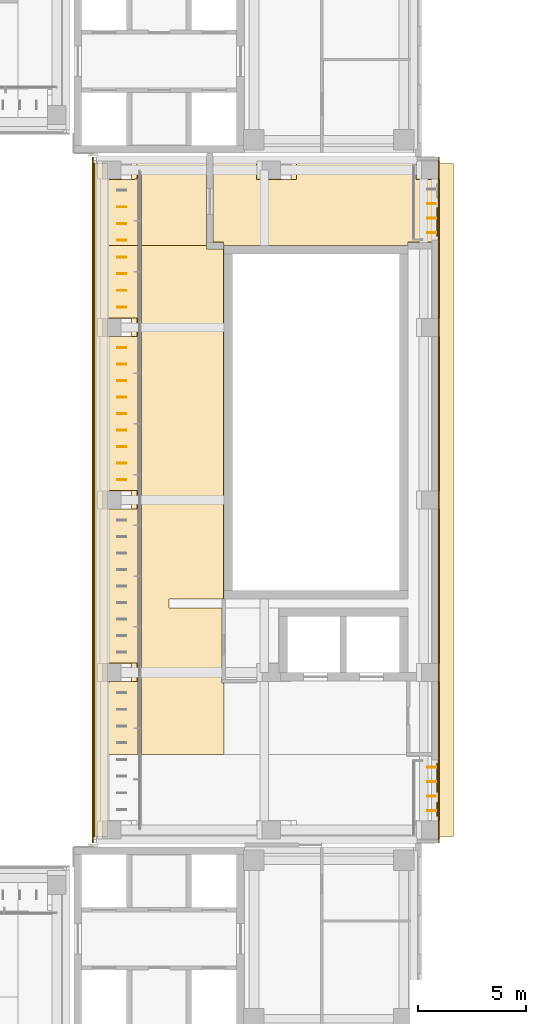
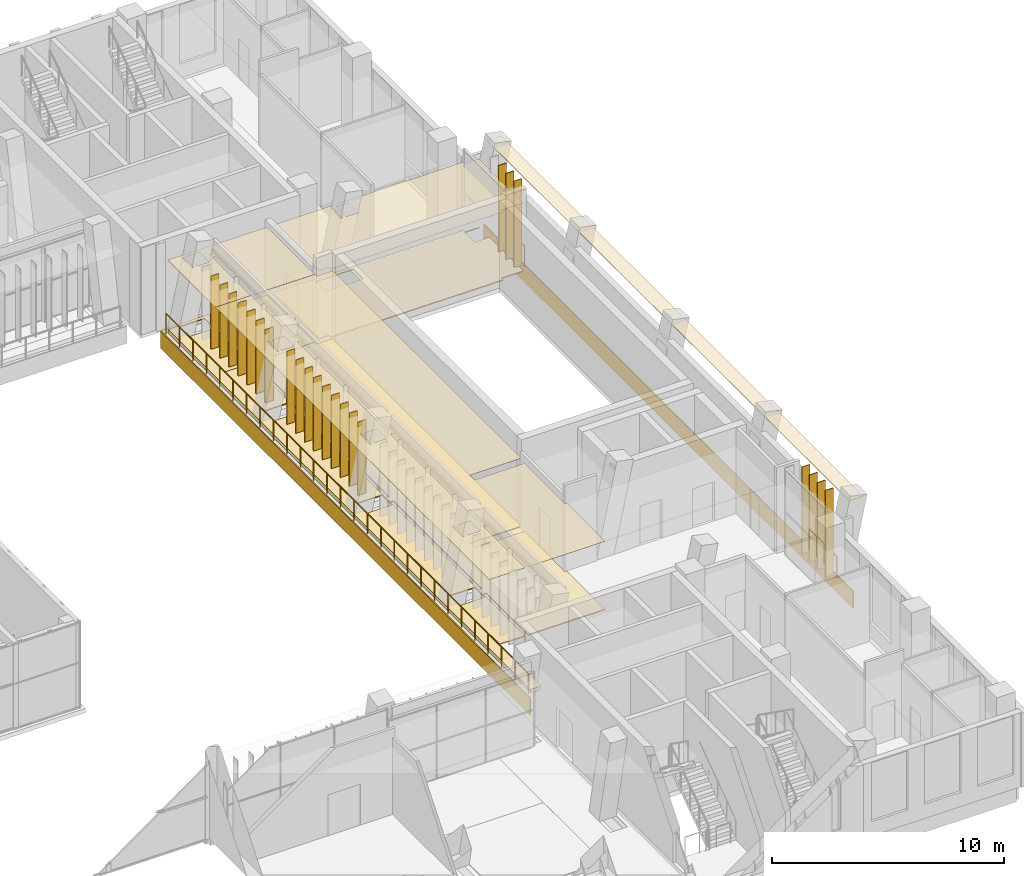
# One storey, part 90 of 92: 23 shading devices, 10 coverings, 4 railings.
"""IFC4 building model written with IfcOpenShell, lengths in metres."""

from ifc_helpers import new_model, si_unit, direction, frame, frame_2d, origin, origin_2d, place, context, subcontext, project, spatial, polyline, rectangle, circle, outline, extrude, material, layer, layer_set, type_object, element, save


model = new_model("IFC4")

# Units and contexts
model_context = context("Model", 3, precision=1e-05, world=origin(), true_north=direction((0.0, 1.0)))
body_context = subcontext(model_context, "Body", "Model", "MODEL_VIEW")
ifc_project = project(units=[si_unit("LENGTHUNIT", "METRE"), si_unit("AREAUNIT", "SQUARE_METRE"), si_unit("VOLUMEUNIT", "CUBIC_METRE"), si_unit("PLANEANGLEUNIT", "RADIAN"), si_unit("MASSUNIT", "GRAM", prefix="KILO")], contexts=[model_context])

# Site, building, storey
site_placement = place(None, origin())
site = spatial("IfcSite", under=ifc_project, at=site_placement, CompositionType="ELEMENT")
building_placement = place(site_placement, origin())
building = spatial("IfcBuilding", under=site, at=building_placement, Name="Lantern Court Media Centre", CompositionType="ELEMENT")
storey_placement = place(building_placement, frame((0.0, 0.0, 4.800048828125)))
storey = spatial("IfcBuildingStorey", under=building, at=storey_placement, Name="L01", CompositionType="ELEMENT", Elevation=4.800048828125)

# Covering
ifc_material_1 = material(Name="Carpet")
ifc_layer_1 = layer(ifc_material_1, 0.050048828125)
ifc_layer_set_1 = layer_set([ifc_layer_1], Name="Carpet")
covering_type_1 = type_object("IfcCoveringType", Name="Carpet floor finish", PredefinedType="FLOORING", material=ifc_layer_set_1)
covering_1_placement = place(storey_placement, origin())
element("IfcCovering", 1, at=covering_1_placement, inside=storey, type_object=covering_type_1, Name="Studio Control Room 02 floor finish", PredefinedType="FLOORING", context=body_context, shape_type="SweptSolid", body=[
    extrude(outline(polyline([(96.699951171875, 94.8701171875), (96.695068359375, 91.955078125), (95.60400390625, 91.954833984375), (95.60009765625, 91.804931640625), (87.050048828125, 91.804931640625), (87.04638671875, 91.954833984375), (86.554931640625, 91.955078125), (86.554931640625, 95.89990234375), (95.9951171875, 95.89990234375), (95.9990234375, 95.755126953125), (96.699951171875, 95.7548828125), (96.699951171875, 95.72998046875), (95.969970703125, 95.72509765625), (95.97119140625, 94.871826171875), (96.699951171875, 94.8701171875)]), holes=[polyline([(90.425048828125, 94.8701171875), (90.427001953125, 95.729736328125), (88.5703125, 95.726806640625), (88.572998046875, 94.870361328125), (90.425048828125, 94.8701171875)])]), origin(), (0.0, 0.0, 1.0), 0.050048828125),
])

# Railings
ifc_material_2 = material(Name="Powder-coated steel", Category="steel")
railing_type_1 = type_object("IfcRailingType", Name="Floor edge guard 1100", PredefinedType="GUARDRAIL", material=ifc_material_2)
railing_1_placement = place(storey_placement, frame((96.93994140625, 93.5419921875, 0.0)))
element("IfcRailing", 2, at=railing_1_placement, inside=storey, type_object=railing_type_1, Name="L01 edge guard 30", PredefinedType="GUARDRAIL", context=body_context, shape_type="SweptSolid", body=[
    extrude(circle(Radius=0.02392578125, at=origin_2d()), frame((0.0, 0.0, 1.076171875), z_axis=(0.0, -1.0, 0.0), x_axis=(1.0, 0.0, 0.0)), (0.0, 0.0, 1.0), 1.299072265625),
    extrude(circle(Radius=0.02099609375, at=origin_2d()), origin(), (0.0, 0.0, 1.0), 1.052001953125),
    extrude(circle(Radius=0.02099609375, at=origin_2d()), frame((0.0, -0.6494140625, 0.0)), (0.0, 0.0, 1.0), 1.052001953125),
    extrude(circle(Radius=0.02099609375, at=origin_2d()), frame((0.0, -1.299072265625, 0.0)), (0.0, 0.0, 1.0), 1.052001953125),
])
railing_2_placement = place(storey_placement, frame((96.93994140625, 67.763916015625, 0.0)))
element("IfcRailing", 3, at=railing_2_placement, inside=storey, type_object=railing_type_1, Name="L01 edge guard 31", PredefinedType="GUARDRAIL", context=body_context, shape_type="SweptSolid", body=[
    extrude(circle(Radius=0.02392578125, at=origin_2d()), frame((0.0, 0.0, 1.076171875), z_axis=(0.0, -1.0, 0.0), x_axis=(1.0, 0.0, 0.0)), (0.0, 0.0, 1.0), 1.298828125),
    extrude(circle(Radius=0.02099609375, at=origin_2d()), origin(), (0.0, 0.0, 1.0), 1.052001953125),
    extrude(circle(Radius=0.02099609375, at=origin_2d()), frame((0.0, -0.6494140625, 0.0)), (0.0, 0.0, 1.0), 1.052001953125),
    extrude(circle(Radius=0.02099609375, at=origin_2d()), frame((0.0, -1.298828125, 0.0)), (0.0, 0.0, 1.0), 1.052001953125),
])
railing_3_placement = place(storey_placement, frame((96.93994140625, 65.965087890625, 0.0)))
element("IfcRailing", 4, at=railing_3_placement, inside=storey, type_object=railing_type_1, Name="L01 edge guard 32", PredefinedType="GUARDRAIL", context=body_context, shape_type="SweptSolid", body=[
    extrude(circle(Radius=0.02392578125, at=origin_2d()), frame((0.0, 0.0, 1.076171875), z_axis=(0.0, -1.0, 0.0), x_axis=(1.0, 0.0, 0.0)), (0.0, 0.0, 1.0), 0.59912109375),
    extrude(circle(Radius=0.02099609375, at=origin_2d()), origin(), (0.0, 0.0, 1.0), 1.052001953125),
    extrude(circle(Radius=0.02099609375, at=origin_2d()), frame((0.0, -0.59912109375, 0.0)), (0.0, 0.0, 1.0), 1.052001953125),
])

# Coverings
ifc_material_3 = material(Name="White glass-fibre reinforced cement cladding", Category="concrete")
ifc_layer_2 = layer(ifc_material_3, 0.050048828125)
ifc_layer_set_2 = layer_set([ifc_layer_2], Name="White glass-fibre reinforced cement cladding")
covering_type_2 = type_object("IfcCoveringType", Name="Floor-edge band 50", PredefinedType="CLADDING", material=ifc_layer_set_2)
for number, where, z_axis, x_axis, name in (
    (5, (97.02490234375, 64.10009765625, -0.900146484375), (0.0, 0.0, 1.0), (0.0, 1.0, 0.0), "Floor-edge band E outer L01"),
    (6, (80.97509765625, 64.10009765625, -0.900146484375), (0.0, 0.0, 1.0), (0.0, 1.0, 0.0), "Floor-edge band E inner L01"),
):
    element("IfcCovering", number, at=place(storey_placement, frame(where, z_axis=z_axis, x_axis=x_axis)), inside=storey, type_object=covering_type_2, Name=name, PredefinedType="CLADDING", context=body_context, shape_type="SweptSolid", body=[
        extrude(rectangle(XDim=31.7998046875, YDim=0.050048828125, at=frame_2d((15.89990234375, 0.0))), origin(), (0.0, 0.0, 1.0), 0.900146484375),
    ])

# Railing
ifc_material_4 = material(Name="Painted mild steel balustrade", Category="steel")
railing_type_2 = type_object("IfcRailingType", Name="Guard 1100 steel balustrade", PredefinedType="GUARDRAIL", material=ifc_material_4)
railing_4_placement = place(storey_placement, frame((81.050048828125, 64.39990234375, 0.0)))
element("IfcRailing", 7, at=railing_4_placement, inside=storey, type_object=railing_type_2, Name="Ledge guard E L01", PredefinedType="GUARDRAIL", context=body_context, shape_type="SweptSolid", body=[
    extrude(circle(Radius=0.02392578125, at=origin_2d()), frame((0.0, 0.0, 1.076171875), z_axis=(0.0, 1.0, 0.0), x_axis=(-1.0, 0.0, 0.0)), (0.0, 0.0, 1.0), 31.2001953125),
    extrude(circle(Radius=0.02099609375, at=origin_2d()), origin(), (0.0, 0.0, 1.0), 1.052001953125),
    extrude(circle(Radius=0.02099609375, at=origin_2d()), frame((0.0, 1.155517578125, 0.0)), (0.0, 0.0, 1.0), 1.052001953125),
    extrude(circle(Radius=0.02099609375, at=origin_2d()), frame((0.0, 2.31103515625, 0.0)), (0.0, 0.0, 1.0), 1.052001953125),
    extrude(circle(Radius=0.02099609375, at=origin_2d()), frame((0.0, 3.466796875, 0.0)), (0.0, 0.0, 1.0), 1.052001953125),
    extrude(circle(Radius=0.02099609375, at=origin_2d()), frame((0.0, 4.622314453125, 0.0)), (0.0, 0.0, 1.0), 1.052001953125),
    extrude(circle(Radius=0.02099609375, at=origin_2d()), frame((0.0, 5.77783203125, 0.0)), (0.0, 0.0, 1.0), 1.052001953125),
    extrude(circle(Radius=0.02099609375, at=origin_2d()), frame((0.0, 6.933349609375, 0.0)), (0.0, 0.0, 1.0), 1.052001953125),
    extrude(circle(Radius=0.02099609375, at=origin_2d()), frame((0.0, 8.0888671875, 0.0)), (0.0, 0.0, 1.0), 1.052001953125),
    extrude(circle(Radius=0.02099609375, at=origin_2d()), frame((0.0, 9.244384765625, 0.0)), (0.0, 0.0, 1.0), 1.052001953125),
    extrude(circle(Radius=0.02099609375, at=origin_2d()), frame((0.0, 10.400146484375, 0.0)), (0.0, 0.0, 1.0), 1.052001953125),
    extrude(circle(Radius=0.02099609375, at=origin_2d()), frame((0.0, 11.5556640625, 0.0)), (0.0, 0.0, 1.0), 1.052001953125),
    extrude(circle(Radius=0.02099609375, at=origin_2d()), frame((0.0, 12.711181640625, 0.0)), (0.0, 0.0, 1.0), 1.052001953125),
    extrude(circle(Radius=0.02099609375, at=origin_2d()), frame((0.0, 13.86669921875, 0.0)), (0.0, 0.0, 1.0), 1.052001953125),
    extrude(circle(Radius=0.02099609375, at=origin_2d()), frame((0.0, 15.022216796875, 0.0)), (0.0, 0.0, 1.0), 1.052001953125),
    extrude(circle(Radius=0.02099609375, at=origin_2d()), frame((0.0, 16.177978515625, 0.0)), (0.0, 0.0, 1.0), 1.052001953125),
    extrude(circle(Radius=0.02099609375, at=origin_2d()), frame((0.0, 17.33349609375, 0.0)), (0.0, 0.0, 1.0), 1.052001953125),
    extrude(circle(Radius=0.02099609375, at=origin_2d()), frame((0.0, 18.489013671875, 0.0)), (0.0, 0.0, 1.0), 1.052001953125),
    extrude(circle(Radius=0.02099609375, at=origin_2d()), frame((0.0, 19.64453125, 0.0)), (0.0, 0.0, 1.0), 1.052001953125),
    extrude(circle(Radius=0.02099609375, at=origin_2d()), frame((0.0, 20.800048828125, 0.0)), (0.0, 0.0, 1.0), 1.052001953125),
    extrude(circle(Radius=0.02099609375, at=origin_2d()), frame((0.0, 21.955810546875, 0.0)), (0.0, 0.0, 1.0), 1.052001953125),
    extrude(circle(Radius=0.02099609375, at=origin_2d()), frame((0.0, 23.111328125, 0.0)), (0.0, 0.0, 1.0), 1.052001953125),
    extrude(circle(Radius=0.02099609375, at=origin_2d()), frame((0.0, 24.266845703125, 0.0)), (0.0, 0.0, 1.0), 1.052001953125),
    extrude(circle(Radius=0.02099609375, at=origin_2d()), frame((0.0, 25.42236328125, 0.0)), (0.0, 0.0, 1.0), 1.052001953125),
    extrude(circle(Radius=0.02099609375, at=origin_2d()), frame((0.0, 26.577880859375, 0.0)), (0.0, 0.0, 1.0), 1.052001953125),
    extrude(circle(Radius=0.02099609375, at=origin_2d()), frame((0.0, 27.7333984375, 0.0)), (0.0, 0.0, 1.0), 1.052001953125),
    extrude(circle(Radius=0.02099609375, at=origin_2d()), frame((0.0, 28.88916015625, 0.0)), (0.0, 0.0, 1.0), 1.052001953125),
    extrude(circle(Radius=0.02099609375, at=origin_2d()), frame((0.0, 30.044677734375, 0.0)), (0.0, 0.0, 1.0), 1.052001953125),
    extrude(circle(Radius=0.02099609375, at=origin_2d()), frame((0.0, 31.2001953125, 0.0)), (0.0, 0.0, 1.0), 1.052001953125),
])

# Coverings
ifc_material_5 = material(Name="Planting substrate")
ifc_layer_3 = layer(ifc_material_5, 0.199951171875)
ifc_layer_set_3 = layer_set([ifc_layer_3], Name="Planting substrate")
covering_type_3 = type_object("IfcCoveringType", Name="Planted ledge build-up 200", PredefinedType="ROOFING", material=ifc_layer_set_3)
covering_2_placement = place(storey_placement, origin())
element("IfcCovering", 8, at=covering_2_placement, inside=storey, type_object=covering_type_3, Name="Planted ledge E L01", PredefinedType="ROOFING", context=body_context, shape_type="SweptSolid", body=[
    extrude(outline(polyline([(81.14990234375, 64.39990234375), (81.14990234375, 95.60009765625), (81.679931640625, 95.60009765625), (81.679931640625, 64.39990234375), (81.14990234375, 64.39990234375)])), origin(), (0.0, 0.0, 1.0), 0.199951171875),
])
ifc_material_6 = material(Name="White fibre cement soffit board")
ifc_layer_4 = layer(ifc_material_6, 0.0400390625)
ifc_layer_set_4 = layer_set([ifc_layer_4], Name="White fibre cement soffit board")
covering_type_4 = type_object("IfcCoveringType", Name="Soffit lining 40", PredefinedType="CLADDING", material=ifc_layer_set_4)
covering_3_placement = place(storey_placement, frame((97.35009765625, 64.39990234375, 4.5400390625), z_axis=(0.0, 0.0, 1.0), x_axis=(0.0, 1.0, 0.0)))
element("IfcCovering", 9, at=covering_3_placement, inside=storey, type_object=covering_type_4, Name="Soffit lining E L01", PredefinedType="CLADDING", context=body_context, shape_type="SweptSolid", body=[
    extrude(rectangle(XDim=31.2001953125, YDim=0.699951171875, at=frame_2d((15.60009765625, 0.0))), origin(), (0.0, 0.0, 1.0), 0.039794921875),
])
ifc_material_7 = material(Name="Mineral fibre ceiling tile")
ifc_layer_5 = layer(ifc_material_7, 0.02001953125)
ifc_layer_set_5 = layer_set([ifc_layer_5], Name="Mineral fibre ceiling tile")
covering_type_5 = type_object("IfcCoveringType", Name="Suspended ceiling tile", PredefinedType="CEILING", material=ifc_layer_set_5)
covering_4_placement = place(storey_placement, frame((0.0, 0.0, 3.599853515625)))
element("IfcCovering", 10, at=covering_4_placement, inside=storey, type_object=covering_type_5, Name="Studio Control Room 02 ceiling", PredefinedType="CEILING", context=body_context, shape_type="SweptSolid", body=[
    extrude(outline(polyline([(96.699951171875, 95.759521484375), (96.699462890625, 91.800048828125), (96.695068359375, 91.950439453125), (95.60498046875, 91.950439453125), (95.6044921875, 91.800048828125), (87.04541015625, 91.800048828125), (87.045166015625, 91.950439453125), (86.550537109375, 91.950439453125), (86.550537109375, 95.89990234375), (95.99951171875, 95.89990234375), (96.0, 95.759521484375), (96.699951171875, 95.759521484375)]), holes=[polyline([(90.177001953125, 94.87451171875), (90.177490234375, 95.725341796875), (89.57470703125, 95.725341796875), (89.574462890625, 94.874755859375), (90.177001953125, 94.87451171875)]), polyline([(89.425537109375, 95.72509765625), (89.32666015625, 95.72509765625), (89.3271484375, 94.87451171875), (89.425537109375, 94.875), (89.425537109375, 95.72509765625)])]), origin(), (0.0, 0.0, 1.0), 0.02001953125),
])
covering_5_placement = place(storey_placement, frame((0.0, 0.0, 3.599853515625)))
element("IfcCovering", 11, at=covering_5_placement, inside=storey, type_object=covering_type_5, Name="End Lobby ceiling", PredefinedType="CEILING", context=body_context, shape_type="SweptSolid", body=[
    extrude(outline(polyline([(81.300048828125, 91.800048828125), (81.300048828125, 95.89990234375), (86.24951171875, 95.89990234375), (86.24951171875, 91.800048828125), (83.2255859375, 91.800048828125), (83.22509765625, 95.1005859375), (83.074462890625, 95.10009765625), (83.074462890625, 91.800048828125), (81.300048828125, 91.800048828125)]), holes=[polyline([(82.777099609375, 94.87451171875), (82.777587890625, 95.725341796875), (82.1748046875, 95.725341796875), (82.174560546875, 94.874755859375), (82.777099609375, 94.87451171875)]), polyline([(82.025390625, 95.72509765625), (81.926513671875, 95.72509765625), (81.927001953125, 94.87451171875), (82.025390625, 94.875), (82.025390625, 95.72509765625)])]), origin(), (0.0, 0.0, 1.0), 0.02001953125),
])
covering_6_placement = place(storey_placement, frame((0.0, 0.0, 3.599853515625)))
element("IfcCovering", 12, at=covering_6_placement, inside=storey, type_object=covering_type_5, Name="Corridor ceiling", PredefinedType="CEILING", context=body_context, shape_type="SweptSolid", body=[
    extrude(outline(polyline([(84.5, 75.39990234375), (84.5, 75.0), (86.974609375, 75.0), (86.974609375, 71.52490234375), (87.050048828125, 71.5244140625), (87.050048828125, 68.199951171875), (83.2255859375, 68.199951171875), (83.22509765625, 71.800537109375), (83.074462890625, 71.800048828125), (83.074462890625, 68.199951171875), (81.300048828125, 68.199951171875), (81.300048828125, 91.800048828125), (83.074462890625, 91.800048828125), (83.074951171875, 88.199462890625), (83.2255859375, 88.199951171875), (83.2255859375, 91.800048828125), (86.24951171875, 91.800048828125), (86.25, 91.6494140625), (87.045166015625, 91.6494140625), (87.049560546875, 91.800048828125), (87.049560546875, 75.400390625), (84.5, 75.39990234375)]), holes=[polyline([(83.074462890625, 80.199951171875), (83.2255859375, 80.199951171875), (83.22509765625, 87.800537109375), (83.074462890625, 87.800048828125), (83.074462890625, 80.199951171875)]), polyline([(83.074462890625, 72.199951171875), (83.2255859375, 72.199951171875), (83.22509765625, 79.800537109375), (83.074462890625, 79.800048828125), (83.074462890625, 72.199951171875)]), polyline([(82.777099609375, 71.574462890625), (82.777587890625, 72.42529296875), (82.1748046875, 72.425537109375), (82.174560546875, 71.57470703125), (82.777099609375, 71.574462890625)]), polyline([(82.777099609375, 79.574462890625), (82.777587890625, 80.42529296875), (82.1748046875, 80.425537109375), (82.174560546875, 79.57470703125), (82.777099609375, 79.574462890625)]), polyline([(82.777099609375, 87.574462890625), (82.777587890625, 88.42529296875), (82.1748046875, 88.425537109375), (82.174560546875, 87.57470703125), (82.777099609375, 87.574462890625)]), polyline([(82.025390625, 72.425048828125), (81.926513671875, 72.425048828125), (81.927001953125, 71.574462890625), (82.025390625, 71.574951171875), (82.025390625, 72.425048828125)]), polyline([(82.025390625, 80.425048828125), (81.926513671875, 80.425048828125), (81.927001953125, 79.574462890625), (82.025390625, 79.574951171875), (82.025390625, 80.425048828125)]), polyline([(82.025390625, 88.425048828125), (81.926513671875, 88.425048828125), (81.927001953125, 87.574462890625), (82.025390625, 87.574951171875), (82.025390625, 88.425048828125)])]), origin(), (0.0, 0.0, 1.0), 0.02001953125),
])
ifc_material_8 = material(Name="Terrazzo")
ifc_layer_6 = layer(ifc_material_8, 0.050048828125)
ifc_layer_set_6 = layer_set([ifc_layer_6], Name="Terrazzo")
covering_type_6 = type_object("IfcCoveringType", Name="Terrazzo floor finish", PredefinedType="FLOORING", material=ifc_layer_set_6)
covering_7_placement = place(storey_placement, origin())
element("IfcCovering", 13, at=covering_7_placement, inside=storey, type_object=covering_type_6, Name="End Lobby floor finish", PredefinedType="FLOORING", context=body_context, shape_type="SweptSolid", body=[
    extrude(outline(polyline([(81.300048828125, 95.89990234375), (86.2451171875, 95.89990234375), (86.2451171875, 91.800048828125), (83.22998046875, 91.800048828125), (83.22509765625, 95.10498046875), (83.070068359375, 95.10009765625), (83.070068359375, 91.800048828125), (81.300048828125, 91.800048828125), (81.300048828125, 94.8701171875), (83.030029296875, 94.875), (83.02734375, 95.7294921875), (81.300048828125, 95.72998046875), (81.300048828125, 95.89990234375)])), origin(), (0.0, 0.0, 1.0), 0.050048828125),
])
covering_8_placement = place(storey_placement, origin())
element("IfcCovering", 14, at=covering_8_placement, inside=storey, type_object=covering_type_6, Name="Corridor floor finish", PredefinedType="FLOORING", context=body_context, shape_type="SweptSolid", body=[
    extrude(outline(polyline([(84.5, 75.39990234375), (84.5, 75.0), (86.969970703125, 75.0), (86.969970703125, 71.52490234375), (87.050048828125, 71.52001953125), (87.050048828125, 68.199951171875), (83.22998046875, 68.199951171875), (83.22509765625, 71.804931640625), (83.070068359375, 71.800048828125), (83.070068359375, 68.199951171875), (81.300048828125, 68.199951171875), (81.300048828125, 71.570068359375), (83.030029296875, 71.574951171875), (83.02734375, 72.429443359375), (81.300048828125, 72.429931640625), (81.300048828125, 79.570068359375), (83.030029296875, 79.574951171875), (83.02734375, 80.429443359375), (81.300048828125, 80.429931640625), (81.300048828125, 87.570068359375), (83.030029296875, 87.574951171875), (83.02734375, 88.429443359375), (81.300048828125, 88.429931640625), (81.300048828125, 91.800048828125), (83.070068359375, 91.800048828125), (83.074951171875, 88.195068359375), (83.22998046875, 88.199951171875), (83.22998046875, 91.800048828125), (86.2451171875, 91.800048828125), (86.2490234375, 91.64501953125), (87.044921875, 91.64501953125), (87.044921875, 75.405029296875), (84.5, 75.39990234375)]), holes=[polyline([(83.070068359375, 72.199951171875), (83.22998046875, 72.199951171875), (83.22509765625, 79.804931640625), (83.070068359375, 79.800048828125), (83.070068359375, 72.199951171875)]), polyline([(83.22509765625, 80.195068359375), (83.22998046875, 87.800048828125), (83.074951171875, 87.804931640625), (83.070068359375, 80.199951171875), (83.22509765625, 80.195068359375)])]), origin(), (0.0, 0.0, 1.0), 0.050048828125),
])

# Shading devices
ifc_material_9 = material(Name="Bronze anodised aluminium louvre", Category="aluminium")
ifc_layer_7 = layer(ifc_material_9, 0.0400390625)
ifc_layer_set_7 = layer_set([ifc_layer_7], Name="Bronze anodised aluminium louvre")
shading_device_type_1 = type_object("IfcShadingDeviceType", Name="Vertical louvre 40x400 full storey", PredefinedType="USERDEFINED", material=ifc_layer_set_7)
for number, where, z_axis, x_axis, name in (
    (15, (96.679931640625, 65.58740234375, 0.0), (0.0, 0.0, 1.0), (1.0, 0.0, 0.0), "Vertical louvre E outer L01"),
    (16, (96.679931640625, 66.262451171875, 0.0), (0.0, 0.0, 1.0), (1.0, 0.0, 0.0), "Vertical louvre E outer L01"),
    (17, (96.679931640625, 66.9375, 0.0), (0.0, 0.0, 1.0), (1.0, 0.0, 0.0), "Vertical louvre E outer L01"),
    (18, (96.679931640625, 67.612548828125, 0.0), (0.0, 0.0, 1.0), (1.0, 0.0, 0.0), "Vertical louvre E outer L01"),
    (19, (96.679931640625, 92.387451171875, 0.0), (0.0, 0.0, 1.0), (1.0, 0.0, 0.0), "Vertical louvre E outer L01"),
    (20, (96.679931640625, 93.0625, 0.0), (0.0, 0.0, 1.0), (1.0, 0.0, 0.0), "Vertical louvre E outer L01"),
    (21, (96.679931640625, 93.737548828125, 0.0), (0.0, 0.0, 1.0), (1.0, 0.0, 0.0), "Vertical louvre E outer L01"),
):
    element("IfcShadingDevice", number, at=place(storey_placement, frame(where, z_axis=z_axis, x_axis=x_axis)), inside=storey, type_object=shading_device_type_1, Name=name, ObjectType="VERTICAL LOUVRE", PredefinedType="USERDEFINED", context=body_context, shape_type="SweptSolid", body=[
        extrude(rectangle(XDim=0.39990234375, YDim=0.0400390625, at=origin_2d()), origin(), (0.0, 0.0, 1.0), 4.580078125),
    ])
ifc_layer_8 = layer(ifc_material_9, 0.0400390625)
ifc_layer_set_8 = layer_set([ifc_layer_8], Name="Bronze anodised aluminium louvre")
shading_device_type_2 = type_object("IfcShadingDeviceType", Name="Vertical louvre 40x400 under beam", PredefinedType="USERDEFINED", material=ifc_layer_set_8)
for number, where, z_axis, x_axis, name in (
    (22, (82.320068359375, 80.933349609375, 0.0), (0.0, 0.0, 1.0), (1.0, 0.0, 0.0), "Vertical louvre E inner L01"),
    (23, (82.320068359375, 81.699951171875, 0.0), (0.0, 0.0, 1.0), (1.0, 0.0, 0.0), "Vertical louvre E inner L01"),
    (24, (82.320068359375, 82.466552734375, 0.0), (0.0, 0.0, 1.0), (1.0, 0.0, 0.0), "Vertical louvre E inner L01"),
    (25, (82.320068359375, 83.2333984375, 0.0), (0.0, 0.0, 1.0), (1.0, 0.0, 0.0), "Vertical louvre E inner L01"),
    (26, (82.320068359375, 84.0, 0.0), (0.0, 0.0, 1.0), (1.0, 0.0, 0.0), "Vertical louvre E inner L01"),
    (27, (82.320068359375, 84.7666015625, 0.0), (0.0, 0.0, 1.0), (1.0, 0.0, 0.0), "Vertical louvre E inner L01"),
    (28, (82.320068359375, 85.533447265625, 0.0), (0.0, 0.0, 1.0), (1.0, 0.0, 0.0), "Vertical louvre E inner L01"),
    (29, (82.320068359375, 86.300048828125, 0.0), (0.0, 0.0, 1.0), (1.0, 0.0, 0.0), "Vertical louvre E inner L01"),
    (30, (82.320068359375, 87.066650390625, 0.0), (0.0, 0.0, 1.0), (1.0, 0.0, 0.0), "Vertical louvre E inner L01"),
    (31, (82.320068359375, 88.9375, 0.0), (0.0, 0.0, 1.0), (1.0, 0.0, 0.0), "Vertical louvre E inner L01"),
    (32, (82.320068359375, 89.71240234375, 0.0), (0.0, 0.0, 1.0), (1.0, 0.0, 0.0), "Vertical louvre E inner L01"),
    (33, (82.320068359375, 90.487548828125, 0.0), (0.0, 0.0, 1.0), (1.0, 0.0, 0.0), "Vertical louvre E inner L01"),
    (34, (82.320068359375, 91.262451171875, 0.0), (0.0, 0.0, 1.0), (1.0, 0.0, 0.0), "Vertical louvre E inner L01"),
    (35, (82.320068359375, 92.03759765625, 0.0), (0.0, 0.0, 1.0), (1.0, 0.0, 0.0), "Vertical louvre E inner L01"),
    (36, (82.320068359375, 92.8125, 0.0), (0.0, 0.0, 1.0), (1.0, 0.0, 0.0), "Vertical louvre E inner L01"),
    (37, (82.320068359375, 93.58740234375, 0.0), (0.0, 0.0, 1.0), (1.0, 0.0, 0.0), "Vertical louvre E inner L01"),
):
    element("IfcShadingDevice", number, at=place(storey_placement, frame(where, z_axis=z_axis, x_axis=x_axis)), inside=storey, type_object=shading_device_type_2, Name=name, ObjectType="VERTICAL LOUVRE", PredefinedType="USERDEFINED", context=body_context, shape_type="SweptSolid", body=[
        extrude(rectangle(XDim=0.39990234375, YDim=0.0400390625, at=origin_2d()), origin(), (0.0, 0.0, 1.0), 3.89990234375),
    ])

save(model, "model.ifc")
